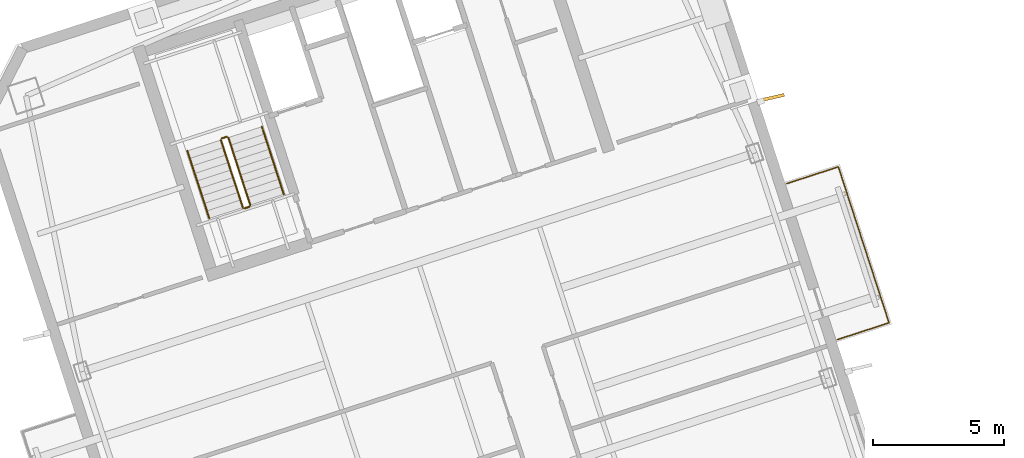
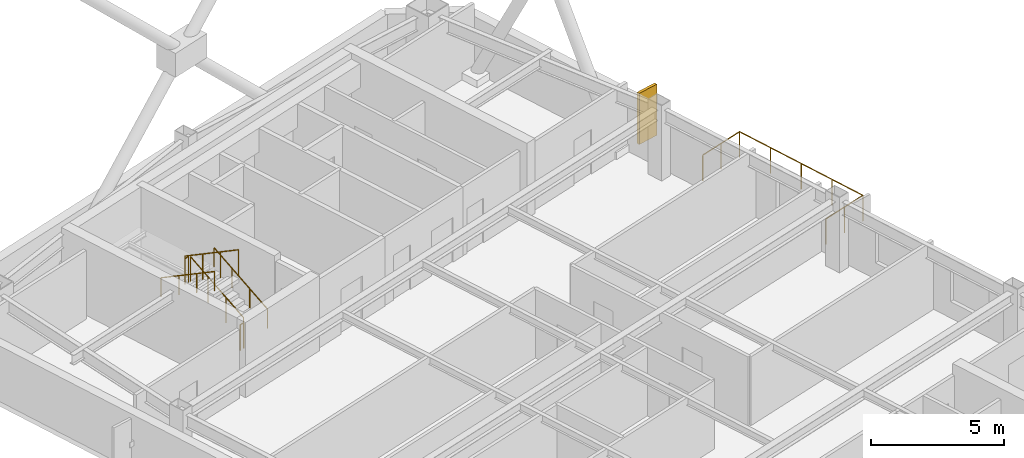
# One storey, part 18 of 18: 7 railings, 1 shading device.
"""IFC4 building model written with IfcOpenShell, lengths in metres."""

from ifc_helpers import new_model, si_unit, direction, frame, origin, origin_2d, place, context, subcontext, project, spatial, rectangle, circle, extrude, material, layer, layer_set, type_object, element, save


model = new_model("IFC4")

# Units and contexts
model_context = context("Model", 3, precision=1e-05, world=origin(), true_north=direction((0.0, 1.0)))
body_context = subcontext(model_context, "Body", "Model", "MODEL_VIEW")
ifc_project = project(units=[si_unit("LENGTHUNIT", "METRE"), si_unit("AREAUNIT", "SQUARE_METRE"), si_unit("VOLUMEUNIT", "CUBIC_METRE"), si_unit("PLANEANGLEUNIT", "RADIAN"), si_unit("MASSUNIT", "GRAM", prefix="KILO")], contexts=[model_context])

# Site, building, storey
site_placement = place(None, origin())
site = spatial("IfcSite", under=ifc_project, at=site_placement, CompositionType="ELEMENT")
building_placement = place(site_placement, origin())
building = spatial("IfcBuilding", under=site, at=building_placement, Name="Qiaolan Cultural Towers", CompositionType="ELEMENT")
storey_placement = place(building_placement, frame((0.0, 0.0, 226.550048828125)))
storey = spatial("IfcBuildingStorey", under=building, at=storey_placement, Name="L61", CompositionType="ELEMENT", Elevation=226.550048828125)

# Railings
ifc_material_1 = material(Name="Laminated SentryGlas & Stainless Steel S31608 Balustrade", Category="steel")
railing_type_1 = type_object("IfcRailingType", Name="GRD-TERR-1200", PredefinedType="BALUSTRADE", material=ifc_material_1)
railing_1_placement = place(storey_placement, frame((103.156982421875, 39.620849609375, 0.0)))
element("IfcRailing", 1, at=railing_1_placement, inside=storey, type_object=railing_type_1, Name="L61 T2 Tree Balcony Guardrail E", PredefinedType="BALUSTRADE", context=body_context, shape_type="SweptSolid", body=[
    extrude(circle(Radius=0.02392578125, at=origin_2d()), frame((0.0, 0.0, 1.17578125), z_axis=(0.951061799618, 0.309000733507, 0.0), x_axis=(-0.309000733507, 0.951061799618, 0.0)), (0.0, 0.0, 1.0), 2.070068359375),
    extrude(circle(Radius=0.02392578125, at=origin_2d()), frame((1.96875, 0.6396484375, 1.17578125), z_axis=(-0.30901175762, 0.951058217804, 0.0), x_axis=(-0.951058217804, -0.30901175762, 0.0)), (0.0, 0.0, 1.0), 6.239990234375),
    extrude(circle(Radius=0.02392578125, at=origin_2d()), frame((0.04052734375, 6.57421875, 1.17578125), z_axis=(-0.951061799618, -0.309000733507, 0.0), x_axis=(0.309000733507, -0.951061799618, 0.0)), (0.0, 0.0, 1.0), 2.070068359375),
    extrude(circle(Radius=0.02099609375, at=origin_2d()), origin(), (0.0, 0.0, 1.0), 1.15185546875),
    extrude(circle(Radius=0.02099609375, at=origin_2d()), frame((0.984375, 0.31982421875, 0.0)), (0.0, 0.0, 1.0), 1.15185546875),
    extrude(circle(Radius=0.02099609375, at=origin_2d()), frame((1.96875, 0.6396484375, 0.0)), (0.0, 0.0, 1.0), 1.15185546875),
    extrude(circle(Radius=0.02099609375, at=origin_2d()), frame((1.48681640625, 2.123291015625, 0.0)), (0.0, 0.0, 1.0), 1.15185546875),
    extrude(circle(Radius=0.02099609375, at=origin_2d()), frame((1.004638671875, 3.60693359375, 0.0)), (0.0, 0.0, 1.0), 1.15185546875),
    extrude(circle(Radius=0.02099609375, at=origin_2d()), frame((0.5224609375, 5.090576171875, 0.0)), (0.0, 0.0, 1.0), 1.15185546875),
    extrude(circle(Radius=0.02099609375, at=origin_2d()), frame((0.04052734375, 6.57421875, 0.0)), (0.0, 0.0, 1.0), 1.15185546875),
    extrude(circle(Radius=0.02099609375, at=origin_2d()), frame((-0.94384765625, 6.25439453125, 0.0)), (0.0, 0.0, 1.0), 1.15185546875),
    extrude(circle(Radius=0.02099609375, at=origin_2d()), frame((-1.92822265625, 5.9345703125, 0.0)), (0.0, 0.0, 1.0), 1.15185546875),
])
ifc_material_2 = material(Name="Galvanized Painted Steel Stair Guardrail", Category="steel")
railing_type_2 = type_object("IfcRailingType", Name="RL-STAIR-GRD", PredefinedType="GUARDRAIL", material=ifc_material_2)
railing_2_placement = place(storey_placement, frame((80.822021484375, 44.739501953125, 0.17236328125)))
element("IfcRailing", 2, at=railing_2_placement, inside=storey, type_object=railing_type_2, Name="L61 ST-E2 stair guard 1", PredefinedType="GUARDRAIL", context=body_context, shape_type="SweptSolid", body=[
    extrude(circle(Radius=0.02392578125, at=origin_2d()), frame((0.0, 0.0, 1.17578125), z_axis=(-0.26785290645, 0.824488402118, 0.498471358535), x_axis=(-0.951069945308, -0.308975661068, 0.0)), (0.0, 0.0, 1.0), 3.114501953125),
    extrude(circle(Radius=0.02099609375, at=origin_2d()), origin(), (0.0, 0.0, 1.0), 1.15185546875),
    extrude(circle(Radius=0.02099609375, at=origin_2d()), frame((-0.278076171875, 0.85595703125, 0.517578125)), (0.0, 0.0, 1.0), 1.15185546875),
    extrude(circle(Radius=0.02099609375, at=origin_2d()), frame((-0.55615234375, 1.7119140625, 1.034912109375)), (0.0, 0.0, 1.0), 1.15185546875),
    extrude(circle(Radius=0.02099609375, at=origin_2d()), frame((-0.834228515625, 2.56787109375, 1.552490234375)), (0.0, 0.0, 1.0), 1.15185546875),
])
railing_3_placement = place(storey_placement, frame((79.9248046875, 47.33935546875, 1.724853515625)))
element("IfcRailing", 3, at=railing_3_placement, inside=storey, type_object=railing_type_2, Name="L61 ST-E2 stair guard 2", PredefinedType="GUARDRAIL", context=body_context, shape_type="SweptSolid", body=[
    extrude(circle(Radius=0.02392578125, at=origin_2d()), frame((0.0, 0.0, 1.17578125), z_axis=(-0.951096855055, -0.308892816854, 0.0), x_axis=(0.308892816854, -0.951096855055, 0.0)), (0.0, 0.0, 1.0), 0.199951171875),
    extrude(circle(Radius=0.02099609375, at=origin_2d()), origin(), (0.0, 0.0, 1.0), 1.15185546875),
    extrude(circle(Radius=0.02099609375, at=origin_2d()), frame((-0.190185546875, -0.061767578125, 0.0)), (0.0, 0.0, 1.0), 1.15185546875),
])
railing_4_placement = place(storey_placement, frame((79.702392578125, 47.214599609375, 1.8974609375)))
element("IfcRailing", 4, at=railing_4_placement, inside=storey, type_object=railing_type_2, Name="L61 ST-E2 stair guard 3", PredefinedType="GUARDRAIL", context=body_context, shape_type="SweptSolid", body=[
    extrude(circle(Radius=0.02392578125, at=origin_2d()), frame((0.0, 0.0, 1.17578125), z_axis=(0.267925668498, -0.824471088726, 0.498460891159), x_axis=(0.951043371037, 0.309057448393, 0.0)), (0.0, 0.0, 1.0), 3.114501953125),
    extrude(circle(Radius=0.02099609375, at=origin_2d()), origin(), (0.0, 0.0, 1.0), 1.15185546875),
    extrude(circle(Radius=0.02099609375, at=origin_2d()), frame((0.278076171875, -0.85595703125, 0.517578125)), (0.0, 0.0, 1.0), 1.15185546875),
    extrude(circle(Radius=0.02099609375, at=origin_2d()), frame((0.556396484375, -1.7119140625, 1.034912109375)), (0.0, 0.0, 1.0), 1.15185546875),
    extrude(circle(Radius=0.02099609375, at=origin_2d()), frame((0.83447265625, -2.56787109375, 1.552490234375)), (0.0, 0.0, 1.0), 1.15185546875),
])
railing_5_placement = place(storey_placement, frame((80.7900390625, 44.676513671875, 0.0)))
element("IfcRailing", 5, at=railing_5_placement, inside=storey, type_object=railing_type_2, Name="L61 ST-E2 stair guard 4", PredefinedType="GUARDRAIL", context=body_context, shape_type="SweptSolid", body=[
    extrude(circle(Radius=0.02392578125, at=origin_2d()), frame((0.0, 0.0, 1.17578125), z_axis=(-0.951096855055, -0.308892816854, 0.0), x_axis=(0.308892816854, -0.951096855055, 0.0)), (0.0, 0.0, 1.0), 0.199951171875),
    extrude(circle(Radius=0.02099609375, at=origin_2d()), origin(), (0.0, 0.0, 1.0), 1.15185546875),
    extrude(circle(Radius=0.02099609375, at=origin_2d()), frame((-0.190185546875, -0.061767578125, 0.0)), (0.0, 0.0, 1.0), 1.15185546875),
])
ifc_material_3 = material(Name="Stainless Steel S30408 Tubular Handrail", Category="steel")
railing_type_3 = type_object("IfcRailingType", Name="RL-STAIR-HR", PredefinedType="HANDRAIL", material=ifc_material_3)
railing_6_placement = place(storey_placement, frame((82.096435546875, 45.153564453125, 0.17236328125)))
element("IfcRailing", 6, at=railing_6_placement, inside=storey, type_object=railing_type_3, Name="L61 ST-E2 stair handrail 1", PredefinedType="HANDRAIL", context=body_context, shape_type="SweptSolid", body=[
    extrude(circle(Radius=0.02392578125, at=origin_2d()), frame((0.0, 0.0, 0.8759765625), z_axis=(-0.26785290645, 0.824488402118, 0.498471358535), x_axis=(-0.951069945308, -0.308975661068, 0.0)), (0.0, 0.0, 1.0), 3.114501953125),
    extrude(circle(Radius=0.02099609375, at=origin_2d()), origin(), (0.0, 0.0, 1.0), 0.851806640625),
    extrude(circle(Radius=0.02099609375, at=origin_2d()), frame((-0.278076171875, 0.85595703125, 0.517578125)), (0.0, 0.0, 1.0), 0.851806640625),
    extrude(circle(Radius=0.02099609375, at=origin_2d()), frame((-0.55615234375, 1.7119140625, 1.034912109375)), (0.0, 0.0, 1.0), 0.851806640625),
    extrude(circle(Radius=0.02099609375, at=origin_2d()), frame((-0.834228515625, 2.56787109375, 1.552490234375)), (0.0, 0.0, 1.0), 0.851806640625),
])
railing_7_placement = place(storey_placement, frame((78.427978515625, 46.800537109375, 1.8974609375)))
element("IfcRailing", 7, at=railing_7_placement, inside=storey, type_object=railing_type_3, Name="L61 ST-E2 stair handrail 2", PredefinedType="HANDRAIL", context=body_context, shape_type="SweptSolid", body=[
    extrude(circle(Radius=0.02392578125, at=origin_2d()), frame((0.0, 0.0, 0.8759765625), z_axis=(0.267925668498, -0.824471088726, 0.498460891159), x_axis=(0.951043371037, 0.309057448393, 0.0)), (0.0, 0.0, 1.0), 3.114501953125),
    extrude(circle(Radius=0.02099609375, at=origin_2d()), origin(), (0.0, 0.0, 1.0), 0.851806640625),
    extrude(circle(Radius=0.02099609375, at=origin_2d()), frame((0.278076171875, -0.85595703125, 0.517578125)), (0.0, 0.0, 1.0), 0.851806640625),
    extrude(circle(Radius=0.02099609375, at=origin_2d()), frame((0.556396484375, -1.7119140625, 1.034912109375)), (0.0, 0.0, 1.0), 0.851806640625),
    extrude(circle(Radius=0.02099609375, at=origin_2d()), frame((0.83447265625, -2.56787109375, 1.552490234375)), (0.0, 0.0, 1.0), 0.851806640625),
])

# Shading device
ifc_material_4 = material(Name="Light Limestone Precast Vertical Fin", Category="masonry")
ifc_layer = layer(ifc_material_4, 0.1201171875)
ifc_layer_set = layer_set([ifc_layer], Name="Light Limestone Precast Vertical Fin")
shading_device_type = type_object("IfcShadingDeviceType", Name="SHD-FIN-WHITE", PredefinedType="USERDEFINED", material=ifc_layer_set)
shading_device_placement = place(storey_placement, frame((100.7001953125, 48.83251953125, 0.099853515625), z_axis=(0.0, 0.0, 1.0), x_axis=(0.974879128079, 0.222734563182, 0.0)))
element("IfcShadingDevice", 8, at=shading_device_placement, inside=storey, type_object=shading_device_type, Name="L61 T2 Expressive Precast Vertical Fin E3", ObjectType="FIN", PredefinedType="USERDEFINED", context=body_context, shape_type="SweptSolid", body=[
    extrude(rectangle(XDim=0.89990234375, YDim=0.1201171875, at=origin_2d()), origin(), (0.0, 0.0, 1.0), 2.35009765625),
])

save(model, "model.ifc")
